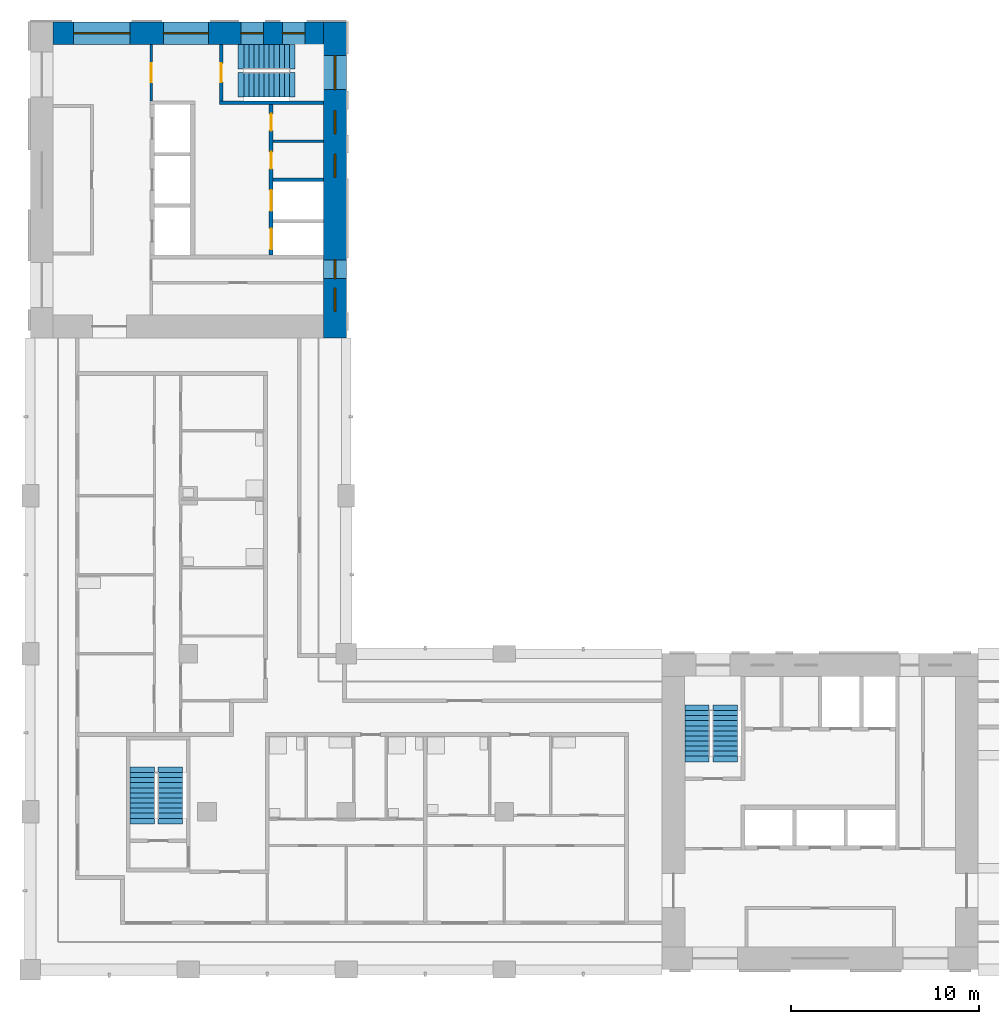
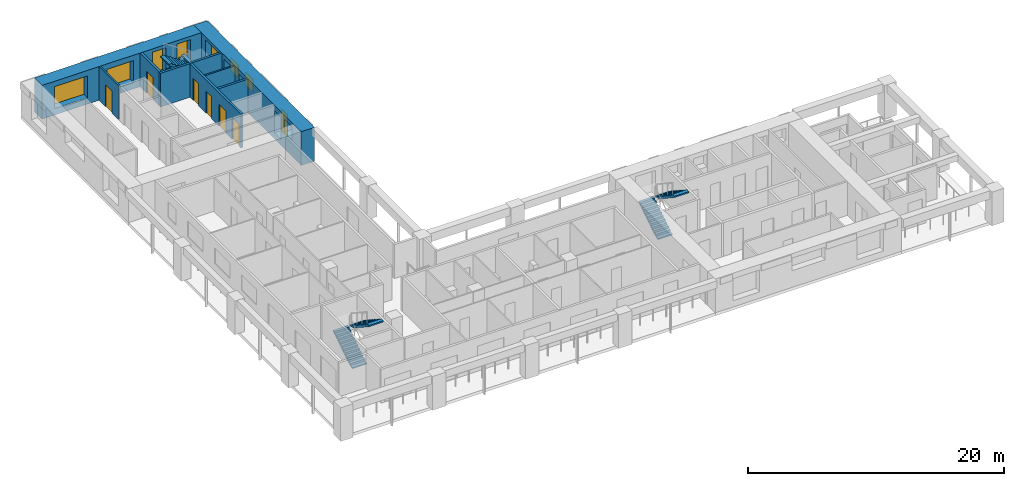
# One storey, part 6 of 10: 9 windows, 8 walls, 6 doors, 6 stair flights, 15 openings, 3 elements without a shape of their own.
"""IFC4 building model written with IfcOpenShell, lengths in metres."""

from ifc_helpers import new_model, si_unit, direction, frame, frame_2d, origin, place, context, subcontext, project, spatial, polyline, rectangle, outline, extrude, material, layer, layer_set, type_object, element, fill, aggregate, save


model = new_model("IFC4")

# Units and contexts
model_context = context("Model", 3, precision=1e-05, world=origin(), true_north=direction((0.0, 1.0)))
body_context = subcontext(model_context, "Body", "Model", "MODEL_VIEW")
ifc_project = project(units=[si_unit("LENGTHUNIT", "METRE"), si_unit("AREAUNIT", "SQUARE_METRE"), si_unit("VOLUMEUNIT", "CUBIC_METRE"), si_unit("PLANEANGLEUNIT", "RADIAN"), si_unit("MASSUNIT", "GRAM", prefix="KILO")], contexts=[model_context])

# Site, building, storey
site_placement = place(None, origin())
site = spatial("IfcSite", under=ifc_project, at=site_placement, CompositionType="ELEMENT")
building_placement = place(site_placement, origin())
building = spatial("IfcBuilding", under=site, at=building_placement, Name="Vermilion Gate Residences", CompositionType="ELEMENT")
storey_placement = place(building_placement, frame((0.0, 0.0, 172.199951171875)))
storey = spatial("IfcBuildingStorey", under=building, at=storey_placement, Name="L44", CompositionType="ELEMENT", Elevation=172.199951171875)

# Wall
ifc_material_1 = material(Name="Masonry blockwork", Category="masonry")
ifc_layer_1 = layer(ifc_material_1, 0.14990234375)
ifc_layer_set_1 = layer_set([ifc_layer_1], Name="BLOCKWORK PARTITION 150 EI 120")
wall_type_1 = type_object("IfcWallType", Name="BLOCKWORK PARTITION 150 EI 120", PredefinedType="PARTITIONING", material=ifc_layer_set_1)
wall_1_placement = place(storey_placement, frame((21.300048828125, 52.449951171875, 0.0), z_axis=(0.0, 0.0, 1.0), x_axis=(1.0, 0.0, 0.0)))
element("IfcWall", 1, at=wall_1_placement, inside=storey, type_object=wall_type_1, Name="Core room partition B44-NR-P0", PredefinedType="PARTITIONING", context=body_context, shape_type="SweptSolid", body=[
    extrude(rectangle(XDim=2.699951171875, YDim=0.14990234375, at=frame_2d((1.35009765625, 0.0))), origin(), (0.0, 0.0, 1.0), 3.219970703125),
])

# Wall, opening, door
wall_2_placement = place(storey_placement, frame((14.824951171875, 57.60009765625, 0.0), z_axis=(0.0, 0.0, 1.0), x_axis=(0.0, -1.0, 0.0)))
wall_2 = element("IfcWall", 2, at=wall_2_placement, inside=storey, type_object=wall_type_1, Name="Core room partition B44-VW-S", PredefinedType="PARTITIONING", context=body_context, shape_type="SweptSolid", body=[
    extrude(rectangle(XDim=3.0, YDim=0.14990234375, at=frame_2d((1.5, 0.0))), origin(), (0.0, 0.0, 1.0), 3.219970703125),
])
opening_1_placement = place(wall_2_placement, frame((1.0, 0.0, 0.0)))
opening_1 = element("IfcOpeningElement", 3, at=opening_1_placement, cuts=wall_2, Name="Opening DK44110", PredefinedType="OPENING", context=body_context, shape_type="SweptSolid", body=[
    extrude(rectangle(XDim=1.0, YDim=2.10009765625, at=frame_2d((0.5, 1.050048828125))), frame((0.0, 0.0849609375, 0.0), z_axis=(0.0, -1.0, 0.0), x_axis=(1.0, 0.0, 0.0)), (0.0, 0.0, 1.0), 0.169921875),
])
ifc_material_2 = material(Name="Steel", Category="steel")
door_type_1 = type_object("IfcDoorType", Name="FIRE DOOR FD60 1000 X 2100", OperationType="SINGLE_SWING_LEFT", PredefinedType="DOOR", material=ifc_material_2)
door_1_placement = place(opening_1_placement, frame((1.0, 0.0, 0.0), z_axis=(0.0, 0.0, 1.0), x_axis=(-1.0, 0.0, 0.0)))
door_1 = element("IfcDoor", 4, at=door_1_placement, inside=storey, type_object=door_type_1, Name="Stair vestibule door B44", OperationType="SINGLE_SWING_RIGHT", OverallHeight=2.10009765625, OverallWidth=1.0, PredefinedType="DOOR", context=body_context, shape_type="SweptSolid", body=[
    extrude(rectangle(XDim=1.0, YDim=2.10009765625, at=frame_2d((0.5, 1.050048828125))), frame((0.0, 0.02490234375, 0.0), z_axis=(0.0, -1.0, 0.0), x_axis=(1.0, 0.0, 0.0)), (0.0, 0.0, 1.0), 0.050048828125),
])
fill(opening_1, door_1)

# Wall
ifc_material_3 = material(Name="Concrete C60", Category="concrete")
ifc_layer_2 = layer(ifc_material_3, 0.199951171875)
ifc_layer_set_2 = layer_set([ifc_layer_2], Name="RC CORE INTERNAL WALL 200 C60")
wall_type_2 = type_object("IfcWallType", Name="RC CORE INTERNAL WALL 200 C60", PredefinedType="SHEAR", material=ifc_layer_set_2)
wall_3_placement = place(storey_placement, frame((21.300048828125, 50.39990234375, 0.0), z_axis=(0.0, 0.0, 1.0), x_axis=(1.0, 0.0, 0.0)))
element("IfcWall", 5, at=wall_3_placement, inside=storey, type_object=wall_type_2, Name="Core internal wall B44-FF-D0", PredefinedType="SHEAR", context=body_context, shape_type="SweptSolid", body=[
    extrude(rectangle(XDim=2.699951171875, YDim=0.199951171875, at=frame_2d((1.35009765625, 0.0))), origin(), (0.0, 0.0, 1.0), 3.219970703125),
])

# Wall, openings, doors
wall_4_placement = place(storey_placement, frame((21.199951171875, 54.39990234375, 0.0), z_axis=(0.0, 0.0, 1.0), x_axis=(0.0, -1.0, 0.0)))
wall_4 = element("IfcWall", 6, at=wall_4_placement, inside=storey, type_object=wall_type_2, Name="Core internal wall B44-FF-F", PredefinedType="SHEAR", context=body_context, shape_type="SweptSolid", body=[
    extrude(rectangle(XDim=8.0, YDim=0.199951171875, at=frame_2d((4.0, 0.0))), origin(), (0.0, 0.0, 1.0), 3.219970703125),
])
opening_2_placement = place(wall_4_placement, frame((0.487548828125, 0.0, 0.0)))
opening_2 = element("IfcOpeningElement", 7, at=opening_2_placement, cuts=wall_4, Name="Opening DK44106", PredefinedType="OPENING", context=body_context, shape_type="SweptSolid", body=[
    extrude(rectangle(XDim=0.89990234375, YDim=2.10009765625, at=frame_2d((0.449951171875, 1.050048828125))), frame((0.0, 0.10986328125, 0.0), z_axis=(0.0, -1.0, 0.0), x_axis=(1.0, 0.0, 0.0)), (0.0, 0.0, 1.0), 0.219970703125),
])
opening_3_placement = place(wall_4_placement, frame((2.512451171875, 0.0, 0.0)))
opening_3 = element("IfcOpeningElement", 8, at=opening_3_placement, cuts=wall_4, Name="Opening DK44107", PredefinedType="OPENING", context=body_context, shape_type="SweptSolid", body=[
    extrude(rectangle(XDim=0.89990234375, YDim=2.10009765625, at=frame_2d((0.449951171875, 1.050048828125))), frame((0.0, 0.10986328125, 0.0), z_axis=(0.0, -1.0, 0.0), x_axis=(1.0, 0.0, 0.0)), (0.0, 0.0, 1.0), 0.219970703125),
])
opening_4_placement = place(wall_4_placement, frame((4.550048828125, 0.0, 0.0)))
opening_4 = element("IfcOpeningElement", 9, at=opening_4_placement, cuts=wall_4, Name="Opening LD", PredefinedType="OPENING", context=body_context, shape_type="SweptSolid", body=[
    extrude(rectangle(XDim=1.10009765625, YDim=2.10009765625, at=frame_2d((0.550048828125, 1.050048828125))), frame((0.0, 0.10986328125, 0.0), z_axis=(0.0, -1.0, 0.0), x_axis=(1.0, 0.0, 0.0)), (0.0, 0.0, 1.0), 0.219970703125),
])
opening_5_placement = place(wall_4_placement, frame((6.60009765625, 0.0, 0.0)))
opening_5 = element("IfcOpeningElement", 10, at=opening_5_placement, cuts=wall_4, Name="Opening LD", PredefinedType="OPENING", context=body_context, shape_type="SweptSolid", body=[
    extrude(rectangle(XDim=1.10009765625, YDim=2.10009765625, at=frame_2d((0.550048828125, 1.050048828125))), frame((0.0, 0.10986328125, 0.0), z_axis=(0.0, -1.0, 0.0), x_axis=(1.0, 0.0, 0.0)), (0.0, 0.0, 1.0), 0.219970703125),
])
ifc_material_4 = material(Name="Stainless steel", Category="steel")
door_type_2 = type_object("IfcDoorType", Name="LIFT LANDING DOOR E60 1100 X 2100", OperationType="DOUBLE_DOOR_SLIDING", PredefinedType="DOOR", material=ifc_material_4)
door_2_placement = place(opening_4_placement, origin())
door_2 = element("IfcDoor", 11, at=door_2_placement, inside=storey, type_object=door_type_2, Name="Lift landing door LFB1", OperationType="DOUBLE_DOOR_SLIDING", OverallHeight=2.10009765625, OverallWidth=1.10009765625, PredefinedType="DOOR", context=body_context, shape_type="SweptSolid", body=[
    extrude(rectangle(XDim=1.10009765625, YDim=2.10009765625, at=frame_2d((0.550048828125, 1.050048828125))), frame((0.0, 0.02490234375, 0.0), z_axis=(0.0, -1.0, 0.0), x_axis=(1.0, 0.0, 0.0)), (0.0, 0.0, 1.0), 0.050048828125),
])
fill(opening_4, door_2)
door_3_placement = place(opening_5_placement, origin())
door_3 = element("IfcDoor", 12, at=door_3_placement, inside=storey, type_object=door_type_2, Name="Lift landing door LCB1", OperationType="DOUBLE_DOOR_SLIDING", OverallHeight=2.10009765625, OverallWidth=1.10009765625, PredefinedType="DOOR", context=body_context, shape_type="SweptSolid", body=[
    extrude(rectangle(XDim=1.10009765625, YDim=2.10009765625, at=frame_2d((0.550048828125, 1.050048828125))), frame((0.0, 0.02490234375, 0.0), z_axis=(0.0, -1.0, 0.0), x_axis=(1.0, 0.0, 0.0)), (0.0, 0.0, 1.0), 0.050048828125),
])
fill(opening_5, door_3)
ifc_material_5 = material(Name="Steel", Category="steel")
door_type_3 = type_object("IfcDoorType", Name="SERVICE ROOM DOOR FD60 900 X 2100", OperationType="SINGLE_SWING_LEFT", PredefinedType="DOOR", material=ifc_material_5)
door_4_placement = place(opening_2_placement, origin())
door_4 = element("IfcDoor", 13, at=door_4_placement, inside=storey, type_object=door_type_3, Name="Parcel room B44", OperationType="SINGLE_SWING_RIGHT", OverallHeight=2.10009765625, OverallWidth=0.89990234375, PredefinedType="DOOR", context=body_context, shape_type="SweptSolid", body=[
    extrude(rectangle(XDim=0.89990234375, YDim=2.10009765625, at=frame_2d((0.449951171875, 1.050048828125))), frame((0.0, 0.02490234375, 0.0), z_axis=(0.0, -1.0, 0.0), x_axis=(1.0, 0.0, 0.0)), (0.0, 0.0, 1.0), 0.050048828125),
])
fill(opening_2, door_4)
door_5_placement = place(opening_3_placement, frame((0.89990234375, 0.0, 0.0), z_axis=(0.0, 0.0, 1.0), x_axis=(-1.0, 0.0, 0.0)))
door_5 = element("IfcDoor", 14, at=door_5_placement, inside=storey, type_object=door_type_3, Name="Electrical room B44", OperationType="SINGLE_SWING_RIGHT", OverallHeight=2.10009765625, OverallWidth=0.89990234375, PredefinedType="DOOR", context=body_context, shape_type="SweptSolid", body=[
    extrude(rectangle(XDim=0.89990234375, YDim=2.10009765625, at=frame_2d((0.449951171875, 1.050048828125))), frame((0.0, 0.02490234375, 0.0), z_axis=(0.0, -1.0, 0.0), x_axis=(1.0, 0.0, 0.0)), (0.0, 0.0, 1.0), 0.050048828125),
])
fill(opening_3, door_5)

# Wall
wall_5_placement = place(storey_placement, frame((18.449951171875, 54.5, 0.0), z_axis=(0.0, 0.0, 1.0), x_axis=(1.0, 0.0, 0.0)))
element("IfcWall", 15, at=wall_5_placement, inside=storey, type_object=wall_type_2, Name="Core internal wall B44-WDIV2", PredefinedType="SHEAR", context=body_context, shape_type="SweptSolid", body=[
    extrude(rectangle(XDim=5.550048828125, YDim=0.199951171875, at=frame_2d((2.77490234375, 0.0))), origin(), (0.0, 0.0, 1.0), 3.219970703125),
])

# Wall, opening, door
wall_6_placement = place(storey_placement, frame((18.550048828125, 57.60009765625, 0.0), z_axis=(0.0, 0.0, 1.0), x_axis=(0.0, -1.0, 0.0)))
wall_6 = element("IfcWall", 16, at=wall_6_placement, inside=storey, type_object=wall_type_2, Name="Core internal wall B44-STW-S", PredefinedType="SHEAR", context=body_context, shape_type="SweptSolid", body=[
    extrude(rectangle(XDim=3.0, YDim=0.199951171875, at=frame_2d((1.5, 0.0))), origin(), (0.0, 0.0, 1.0), 3.219970703125),
])
opening_6_placement = place(wall_6_placement, frame((1.0, 0.0, 0.0)))
opening_6 = element("IfcOpeningElement", 17, at=opening_6_placement, cuts=wall_6, Name="Opening DK44111", PredefinedType="OPENING", context=body_context, shape_type="SweptSolid", body=[
    extrude(rectangle(XDim=1.0, YDim=2.10009765625, at=frame_2d((0.5, 1.050048828125))), frame((0.0, 0.10986328125, 0.0), z_axis=(0.0, -1.0, 0.0), x_axis=(1.0, 0.0, 0.0)), (0.0, 0.0, 1.0), 0.219970703125),
])
door_6_placement = place(opening_6_placement, origin())
door_6 = element("IfcDoor", 18, at=door_6_placement, inside=storey, type_object=door_type_1, Name="Stair door B44", OperationType="SINGLE_SWING_LEFT", OverallHeight=2.10009765625, OverallWidth=1.0, PredefinedType="DOOR", context=body_context, shape_type="SweptSolid", body=[
    extrude(rectangle(XDim=1.0, YDim=2.10009765625, at=frame_2d((0.5, 1.050048828125))), frame((0.0, 0.02490234375, 0.0), z_axis=(0.0, -1.0, 0.0), x_axis=(1.0, 0.0, 0.0)), (0.0, 0.0, 1.0), 0.050048828125),
])
fill(opening_6, door_6)

# Wall, openings, windows
ifc_material_6 = material(Name="Concrete C60 red-oxide pigmented", Category="concrete")
ifc_layer_3 = layer(ifc_material_6, 1.199951171875)
ifc_layer_set_3 = layer_set([ifc_layer_3], Name="RC CORE WALL 1200 C60 RED OXIDE")
wall_type_3 = type_object("IfcWallType", Name="RC CORE WALL 1200 C60 RED OXIDE", PredefinedType="SHEAR", material=ifc_layer_set_3)
wall_7_placement = place(storey_placement, frame((24.60009765625, 58.800048828125, 0.0), z_axis=(0.0, 0.0, 1.0), x_axis=(0.0, -1.0, 0.0)))
wall_7 = element("IfcWall", 19, at=wall_7_placement, inside=storey, type_object=wall_type_3, Name="Core wall B44-OUT-B1", PredefinedType="SHEAR", context=body_context, shape_type="SweptSolid", body=[
    extrude(rectangle(XDim=16.800048828125, YDim=1.199951171875, at=frame_2d((8.39990234375, 0.0))), origin(), (0.0, 0.0, 1.0), 3.219970703125),
])
opening_7_placement = place(wall_7_placement, frame((1.800048828125, 0.0, 0.5)))
opening_7 = element("IfcOpeningElement", 20, at=opening_7_placement, cuts=wall_7, Name="Opening WKB4404", PredefinedType="OPENING", context=body_context, shape_type="SweptSolid", body=[
    extrude(rectangle(XDim=1.800048828125, YDim=2.39990234375, at=frame_2d((0.89990234375, 1.199951171875))), frame((0.0, 0.60986328125, 0.0), z_axis=(0.0, -1.0, 0.0), x_axis=(1.0, 0.0, 0.0)), (0.0, 0.0, 1.0), 1.219970703125),
])
opening_8_placement = place(wall_7_placement, frame((4.737548828125, 0.0, 1.60009765625)))
opening_8 = element("IfcOpeningElement", 21, at=opening_8_placement, cuts=wall_7, Name="Opening WKB4405", PredefinedType="OPENING", context=body_context, shape_type="SweptSolid", body=[
    extrude(rectangle(XDim=1.199951171875, YDim=1.199951171875, at=frame_2d((0.60009765625, 0.60009765625))), frame((0.0, 0.60986328125, 0.0), z_axis=(0.0, -1.0, 0.0), x_axis=(1.0, 0.0, 0.0)), (0.0, 0.0, 1.0), 1.219970703125),
])
opening_9_placement = place(wall_7_placement, frame((7.050048828125, 0.0, 1.60009765625)))
opening_9 = element("IfcOpeningElement", 22, at=opening_9_placement, cuts=wall_7, Name="Opening WKB4406", PredefinedType="OPENING", context=body_context, shape_type="SweptSolid", body=[
    extrude(rectangle(XDim=1.199951171875, YDim=1.199951171875, at=frame_2d((0.60009765625, 0.60009765625))), frame((0.0, 0.60986328125, 0.0), z_axis=(0.0, -1.0, 0.0), x_axis=(1.0, 0.0, 0.0)), (0.0, 0.0, 1.0), 1.219970703125),
])
opening_10_placement = place(wall_7_placement, frame((12.64990234375, 0.0, 0.60009765625)))
opening_10 = element("IfcOpeningElement", 23, at=opening_10_placement, cuts=wall_7, Name="Opening WKB4407", PredefinedType="OPENING", context=body_context, shape_type="SweptSolid", body=[
    extrude(rectangle(XDim=1.0, YDim=2.10009765625, at=frame_2d((0.5, 1.050048828125))), frame((0.0, 0.60986328125, 0.0), z_axis=(0.0, -1.0, 0.0), x_axis=(1.0, 0.0, 0.0)), (0.0, 0.0, 1.0), 1.219970703125),
])
opening_11_placement = place(wall_7_placement, frame((14.175048828125, 0.0, 1.60009765625)))
opening_11 = element("IfcOpeningElement", 24, at=opening_11_placement, cuts=wall_7, Name="Opening WKB4408", PredefinedType="OPENING", context=body_context, shape_type="SweptSolid", body=[
    extrude(rectangle(XDim=1.199951171875, YDim=1.199951171875, at=frame_2d((0.60009765625, 0.60009765625))), frame((0.0, 0.60986328125, 0.0), z_axis=(0.0, -1.0, 0.0), x_axis=(1.0, 0.0, 0.0)), (0.0, 0.0, 1.0), 1.219970703125),
])
ifc_material_7 = material(Name="Aluminium and clear glass", Category="aluminium")
window_type_1 = type_object("IfcWindowType", Name="CORE CORRIDOR WINDOW 1000 X 2100", PartitioningType="SINGLE_PANEL", PredefinedType="WINDOW", material=ifc_material_7)
window_1_placement = place(opening_10_placement, origin())
window_1 = element("IfcWindow", 25, at=window_1_placement, inside=storey, type_object=window_type_1, Name="Core corridor window", OverallHeight=2.10009765625, OverallWidth=1.0, PartitioningType="SINGLE_PANEL", PredefinedType="WINDOW", context=body_context, shape_type="SweptSolid", body=[
    extrude(rectangle(XDim=1.0, YDim=2.10009765625, at=frame_2d((0.5, 1.050048828125))), frame((0.0, 0.030029296875, 0.0), z_axis=(0.0, -1.0, 0.0), x_axis=(1.0, 0.0, 0.0)), (0.0, 0.0, 1.0), 0.06005859375),
])
fill(opening_10, window_1)
ifc_material_8 = material(Name="Aluminium frame with louvre blades", Category="aluminium")
window_type_2 = type_object("IfcWindowType", Name="CORE LOUVRE 1200 X 1200", PartitioningType="SINGLE_PANEL", PredefinedType="WINDOW", material=ifc_material_8)
window_2_placement = place(opening_8_placement, origin())
window_2 = element("IfcWindow", 26, at=window_2_placement, inside=storey, type_object=window_type_2, Name="Core louvre", OverallHeight=1.199951171875, OverallWidth=1.199951171875, PartitioningType="SINGLE_PANEL", PredefinedType="WINDOW", context=body_context, shape_type="SweptSolid", body=[
    extrude(rectangle(XDim=1.199951171875, YDim=1.199951171875, at=frame_2d((0.60009765625, 0.60009765625))), frame((0.0, 0.030029296875, 0.0), z_axis=(0.0, -1.0, 0.0), x_axis=(1.0, 0.0, 0.0)), (0.0, 0.0, 1.0), 0.06005859375),
])
fill(opening_8, window_2)
window_3_placement = place(opening_9_placement, origin())
window_3 = element("IfcWindow", 27, at=window_3_placement, inside=storey, type_object=window_type_2, Name="Core louvre", OverallHeight=1.199951171875, OverallWidth=1.199951171875, PartitioningType="SINGLE_PANEL", PredefinedType="WINDOW", context=body_context, shape_type="SweptSolid", body=[
    extrude(rectangle(XDim=1.199951171875, YDim=1.199951171875, at=frame_2d((0.60009765625, 0.60009765625))), frame((0.0, 0.030029296875, 0.0), z_axis=(0.0, -1.0, 0.0), x_axis=(1.0, 0.0, 0.0)), (0.0, 0.0, 1.0), 0.06005859375),
])
fill(opening_9, window_3)
window_4_placement = place(opening_11_placement, origin())
window_4 = element("IfcWindow", 28, at=window_4_placement, inside=storey, type_object=window_type_2, Name="Core louvre", OverallHeight=1.199951171875, OverallWidth=1.199951171875, PartitioningType="SINGLE_PANEL", PredefinedType="WINDOW", context=body_context, shape_type="SweptSolid", body=[
    extrude(rectangle(XDim=1.199951171875, YDim=1.199951171875, at=frame_2d((0.60009765625, 0.60009765625))), frame((0.0, 0.030029296875, 0.0), z_axis=(0.0, -1.0, 0.0), x_axis=(1.0, 0.0, 0.0)), (0.0, 0.0, 1.0), 0.06005859375),
])
fill(opening_11, window_4)
ifc_material_9 = material(Name="Aluminium and clear glass", Category="aluminium")
window_type_3 = type_object("IfcWindowType", Name="CORE STAIR WINDOW 1800 X 2400", PartitioningType="SINGLE_PANEL", PredefinedType="WINDOW", material=ifc_material_9)
window_5_placement = place(opening_7_placement, origin())
window_5 = element("IfcWindow", 29, at=window_5_placement, inside=storey, type_object=window_type_3, Name="Core stair window", OverallHeight=2.39990234375, OverallWidth=1.800048828125, PartitioningType="SINGLE_PANEL", PredefinedType="WINDOW", context=body_context, shape_type="SweptSolid", body=[
    extrude(rectangle(XDim=1.800048828125, YDim=2.39990234375, at=frame_2d((0.89990234375, 1.199951171875))), frame((0.0, 0.030029296875, 0.0), z_axis=(0.0, -1.0, 0.0), x_axis=(1.0, 0.0, 0.0)), (0.0, 0.0, 1.0), 0.06005859375),
])
fill(opening_7, window_5)

wall_8_placement = place(storey_placement, frame((9.60009765625, 58.199951171875, 0.0), z_axis=(0.0, 0.0, 1.0), x_axis=(1.0, 0.0, 0.0)))
wall_8 = element("IfcWall", 30, at=wall_8_placement, inside=storey, type_object=wall_type_3, Name="Core wall B44-OUT-FR", PredefinedType="SHEAR", context=body_context, shape_type="SweptSolid", body=[
    extrude(rectangle(XDim=14.39990234375, YDim=1.199951171875, at=frame_2d((7.199951171875, 0.0))), origin(), (0.0, 0.0, 1.0), 3.219970703125),
])
opening_12_placement = place(wall_8_placement, frame((1.10498046875, 0.0, 0.60009765625)))
opening_12 = element("IfcOpeningElement", 31, at=opening_12_placement, cuts=wall_8, Name="Opening WKB4409", PredefinedType="OPENING", context=body_context, shape_type="SweptSolid", body=[
    extrude(rectangle(XDim=3.0, YDim=2.10009765625, at=frame_2d((1.5, 1.050048828125))), frame((0.0, 0.60986328125, 0.0), z_axis=(0.0, -1.0, 0.0), x_axis=(1.0, 0.0, 0.0)), (0.0, 0.0, 1.0), 1.219970703125),
])
opening_13_placement = place(wall_8_placement, frame((5.875, 0.0, 0.60009765625)))
opening_13 = element("IfcOpeningElement", 32, at=opening_13_placement, cuts=wall_8, Name="Opening WKB4410", PredefinedType="OPENING", context=body_context, shape_type="SweptSolid", body=[
    extrude(rectangle(XDim=2.39990234375, YDim=2.10009765625, at=frame_2d((1.199951171875, 1.050048828125))), frame((0.0, 0.60986328125, 0.0), z_axis=(0.0, -1.0, 0.0), x_axis=(1.0, 0.0, 0.0)), (0.0, 0.0, 1.0), 1.219970703125),
])
opening_14_placement = place(wall_8_placement, frame((9.993408203125, 0.0, 0.5)))
opening_14 = element("IfcOpeningElement", 33, at=opening_14_placement, cuts=wall_8, Name="Opening WKB4411", PredefinedType="OPENING", context=body_context, shape_type="SweptSolid", body=[
    extrude(rectangle(XDim=1.199951171875, YDim=2.39990234375, at=frame_2d((0.60009765625, 1.199951171875))), frame((0.0, 0.60986328125, 0.0), z_axis=(0.0, -1.0, 0.0), x_axis=(1.0, 0.0, 0.0)), (0.0, 0.0, 1.0), 1.219970703125),
])
opening_15_placement = place(wall_8_placement, frame((12.19677734375, 0.0, 0.5)))
opening_15 = element("IfcOpeningElement", 34, at=opening_15_placement, cuts=wall_8, Name="Opening WKB4412", PredefinedType="OPENING", context=body_context, shape_type="SweptSolid", body=[
    extrude(rectangle(XDim=1.199951171875, YDim=2.39990234375, at=frame_2d((0.60009765625, 1.199951171875))), frame((0.0, 0.60986328125, 0.0), z_axis=(0.0, -1.0, 0.0), x_axis=(1.0, 0.0, 0.0)), (0.0, 0.0, 1.0), 1.219970703125),
])
ifc_material_10 = material(Name="Aluminium and clear glass", Category="aluminium")
window_type_4 = type_object("IfcWindowType", Name="CORE LOBBY WINDOW 2400 X 2100", PartitioningType="SINGLE_PANEL", PredefinedType="WINDOW", material=ifc_material_10)
window_6_placement = place(opening_13_placement, origin())
window_6 = element("IfcWindow", 35, at=window_6_placement, inside=storey, type_object=window_type_4, Name="Core lobby window", OverallHeight=2.10009765625, OverallWidth=2.39990234375, PartitioningType="SINGLE_PANEL", PredefinedType="WINDOW", context=body_context, shape_type="SweptSolid", body=[
    extrude(rectangle(XDim=2.39990234375, YDim=2.10009765625, at=frame_2d((1.199951171875, 1.050048828125))), frame((0.0, 0.030029296875, 0.0), z_axis=(0.0, -1.0, 0.0), x_axis=(1.0, 0.0, 0.0)), (0.0, 0.0, 1.0), 0.06005859375),
])
fill(opening_13, window_6)
ifc_material_11 = material(Name="Aluminium and clear glass", Category="aluminium")
window_type_5 = type_object("IfcWindowType", Name="CORE LOBBY WINDOW 3000 X 2100", PartitioningType="SINGLE_PANEL", PredefinedType="WINDOW", material=ifc_material_11)
window_7_placement = place(opening_12_placement, origin())
window_7 = element("IfcWindow", 36, at=window_7_placement, inside=storey, type_object=window_type_5, Name="Core lobby window", OverallHeight=2.10009765625, OverallWidth=3.0, PartitioningType="SINGLE_PANEL", PredefinedType="WINDOW", context=body_context, shape_type="SweptSolid", body=[
    extrude(rectangle(XDim=3.0, YDim=2.10009765625, at=frame_2d((1.5, 1.050048828125))), frame((0.0, 0.030029296875, 0.0), z_axis=(0.0, -1.0, 0.0), x_axis=(1.0, 0.0, 0.0)), (0.0, 0.0, 1.0), 0.06005859375),
])
fill(opening_12, window_7)
ifc_material_12 = material(Name="Aluminium and clear glass", Category="aluminium")
window_type_6 = type_object("IfcWindowType", Name="CORE STAIR WINDOW 1200 X 2400", PartitioningType="SINGLE_PANEL", PredefinedType="WINDOW", material=ifc_material_12)
window_8_placement = place(opening_14_placement, origin())
window_8 = element("IfcWindow", 37, at=window_8_placement, inside=storey, type_object=window_type_6, Name="Core stair window", OverallHeight=2.39990234375, OverallWidth=1.199951171875, PartitioningType="SINGLE_PANEL", PredefinedType="WINDOW", context=body_context, shape_type="SweptSolid", body=[
    extrude(rectangle(XDim=1.199951171875, YDim=2.39990234375, at=frame_2d((0.60009765625, 1.199951171875))), frame((0.0, 0.030029296875, 0.0), z_axis=(0.0, -1.0, 0.0), x_axis=(1.0, 0.0, 0.0)), (0.0, 0.0, 1.0), 0.06005859375),
])
fill(opening_14, window_8)
window_9_placement = place(opening_15_placement, origin())
window_9 = element("IfcWindow", 38, at=window_9_placement, inside=storey, type_object=window_type_6, Name="Core stair window", OverallHeight=2.39990234375, OverallWidth=1.199951171875, PartitioningType="SINGLE_PANEL", PredefinedType="WINDOW", context=body_context, shape_type="SweptSolid", body=[
    extrude(rectangle(XDim=1.199951171875, YDim=2.39990234375, at=frame_2d((0.60009765625, 1.199951171875))), frame((0.0, 0.030029296875, 0.0), z_axis=(0.0, -1.0, 0.0), x_axis=(1.0, 0.0, 0.0)), (0.0, 0.0, 1.0), 0.06005859375),
])
fill(opening_15, window_9)

# Stair, stair flights
ifc_material_13 = material(Name="Concrete C50", Category="concrete")
stair_type = type_object("IfcStairType", Name="SPECIAL ESCAPE STAIR 1300", PredefinedType="HALF_TURN_STAIR", material=ifc_material_13)
stair_1_placement = place(storey_placement, origin())
stair_1 = element("IfcStair", 39, at=stair_1_placement, inside=storey, type_object=stair_type, Name="Special escape stair STA1-44", PredefinedType="HALF_TURN_STAIR")
ifc_material_14 = material(Name="Concrete C50", Category="concrete")
stair_flight_type = type_object("IfcStairFlightType", Name="STAIR FLIGHT 1300 RC C50", PredefinedType="STRAIGHT", material=ifc_material_14)
stair_flight_1_placement = place(storey_placement, frame((43.85009765625, 19.75, 0.0), z_axis=(0.0, 0.0, 1.0), x_axis=(0.0, 1.0, 0.0)))
stair_flight_1 = element("IfcStairFlight", 40, at=stair_flight_1_placement, type_object=stair_flight_type, Name="STA1-44 flight 1", NumberOfRisers=10, NumberOfTreads=9, PredefinedType="STRAIGHT", RiserHeight=0.175, TreadLength=0.27, context=body_context, shape_type="SweptSolid", body=[
    extrude(outline(polyline([(-0.300048828125, -0.14990234375), (-0.300048828125, -0.030029296875), (0.0, 0.0), (0.0, 0.175048828125), (0.27001953125, 0.175048828125), (0.27001953125, 0.35009765625), (0.5400390625, 0.35009765625), (0.5400390625, 0.52490234375), (0.81005859375, 0.52490234375), (0.81005859375, 0.699951171875), (1.080078125, 0.699951171875), (1.080078125, 0.875), (1.35009765625, 0.875), (1.35009765625, 1.050048828125), (1.6201171875, 1.050048828125), (1.6201171875, 1.22509765625), (1.889892578125, 1.22509765625), (1.889892578125, 1.39990234375), (2.159912109375, 1.39990234375), (2.159912109375, 1.574951171875), (2.429931640625, 1.574951171875), (2.429931640625, 1.75), (2.72998046875, 1.719970703125), (2.72998046875, 1.60009765625), (2.429931640625, 1.396484375), (0.275634765625, 0.0), (-0.300048828125, -0.14990234375)])), frame((0.0, 0.64990234375, 0.0), z_axis=(0.0, -1.0, 0.0), x_axis=(1.0, 0.0, 0.0)), (0.0, 0.0, 1.0), 1.300048828125),
])
stair_flight_2_placement = place(storey_placement, frame((45.35009765625, 22.179931640625, 1.75), z_axis=(0.0, 0.0, 1.0), x_axis=(0.0, -1.0, 0.0)))
stair_flight_2 = element("IfcStairFlight", 41, at=stair_flight_2_placement, type_object=stair_flight_type, Name="STA1-44 flight 2", NumberOfRisers=10, NumberOfTreads=9, PredefinedType="STRAIGHT", RiserHeight=0.175, TreadLength=0.27, context=body_context, shape_type="SweptSolid", body=[
    extrude(outline(polyline([(-0.300048828125, -0.14990234375), (-0.300048828125, -0.030029296875), (0.0, 0.0), (0.0, 0.175048828125), (0.27001953125, 0.175048828125), (0.27001953125, 0.35009765625), (0.5400390625, 0.35009765625), (0.5400390625, 0.52490234375), (0.81005859375, 0.52490234375), (0.81005859375, 0.699951171875), (1.080078125, 0.699951171875), (1.080078125, 0.875), (1.35009765625, 0.875), (1.35009765625, 1.050048828125), (1.6201171875, 1.050048828125), (1.6201171875, 1.22509765625), (1.889892578125, 1.22509765625), (1.889892578125, 1.39990234375), (2.159912109375, 1.39990234375), (2.159912109375, 1.574951171875), (2.429931640625, 1.574951171875), (2.429931640625, 1.75), (2.72998046875, 1.719970703125), (2.72998046875, 1.60009765625), (2.429931640625, 1.396484375), (0.275634765625, 0.0), (-0.300048828125, -0.14990234375)])), frame((0.0, 0.64990234375, 0.0), z_axis=(0.0, -1.0, 0.0), x_axis=(1.0, 0.0, 0.0)), (0.0, 0.0, 1.0), 1.300048828125),
])
aggregate(stair_1, [stair_flight_1, stair_flight_2])

stair_2_placement = place(storey_placement, origin())
stair_2 = element("IfcStair", 42, at=stair_2_placement, inside=storey, type_object=stair_type, Name="Special escape stair STB1-44", PredefinedType="HALF_TURN_STAIR")
stair_flight_3_placement = place(storey_placement, frame((19.75, 56.949951171875, 0.0), z_axis=(0.0, 0.0, 1.0), x_axis=(1.0, 0.0, 0.0)))
stair_flight_3 = element("IfcStairFlight", 43, at=stair_flight_3_placement, type_object=stair_flight_type, Name="STB1-44 flight 1", NumberOfRisers=10, NumberOfTreads=9, PredefinedType="STRAIGHT", RiserHeight=0.175, TreadLength=0.27, context=body_context, shape_type="SweptSolid", body=[
    extrude(outline(polyline([(-0.300048828125, -0.14990234375), (-0.300048828125, -0.030029296875), (0.0, 0.0), (0.0, 0.175048828125), (0.27001953125, 0.175048828125), (0.27001953125, 0.35009765625), (0.5400390625, 0.35009765625), (0.5400390625, 0.52490234375), (0.81005859375, 0.52490234375), (0.81005859375, 0.699951171875), (1.080078125, 0.699951171875), (1.080078125, 0.875), (1.35009765625, 0.875), (1.35009765625, 1.050048828125), (1.6201171875, 1.050048828125), (1.6201171875, 1.22509765625), (1.889892578125, 1.22509765625), (1.889892578125, 1.39990234375), (2.159912109375, 1.39990234375), (2.159912109375, 1.574951171875), (2.429931640625, 1.574951171875), (2.429931640625, 1.75), (2.72998046875, 1.719970703125), (2.72998046875, 1.60009765625), (2.429931640625, 1.396484375), (0.275634765625, 0.0), (-0.300048828125, -0.14990234375)])), frame((0.0, 0.64990234375, 0.0), z_axis=(0.0, -1.0, 0.0), x_axis=(1.0, 0.0, 0.0)), (0.0, 0.0, 1.0), 1.300048828125),
])
stair_flight_4_placement = place(storey_placement, frame((22.179931640625, 55.449951171875, 1.75), z_axis=(0.0, 0.0, 1.0), x_axis=(-1.0, 0.0, 0.0)))
stair_flight_4 = element("IfcStairFlight", 44, at=stair_flight_4_placement, type_object=stair_flight_type, Name="STB1-44 flight 2", NumberOfRisers=10, NumberOfTreads=9, PredefinedType="STRAIGHT", RiserHeight=0.175, TreadLength=0.27, context=body_context, shape_type="SweptSolid", body=[
    extrude(outline(polyline([(-0.300048828125, -0.14990234375), (-0.300048828125, -0.030029296875), (0.0, 0.0), (0.0, 0.175048828125), (0.27001953125, 0.175048828125), (0.27001953125, 0.35009765625), (0.5400390625, 0.35009765625), (0.5400390625, 0.52490234375), (0.81005859375, 0.52490234375), (0.81005859375, 0.699951171875), (1.080078125, 0.699951171875), (1.080078125, 0.875), (1.35009765625, 0.875), (1.35009765625, 1.050048828125), (1.6201171875, 1.050048828125), (1.6201171875, 1.22509765625), (1.889892578125, 1.22509765625), (1.889892578125, 1.39990234375), (2.159912109375, 1.39990234375), (2.159912109375, 1.574951171875), (2.429931640625, 1.574951171875), (2.429931640625, 1.75), (2.72998046875, 1.719970703125), (2.72998046875, 1.60009765625), (2.429931640625, 1.396484375), (0.275634765625, 0.0), (-0.300048828125, -0.14990234375)])), frame((0.0, 0.64990234375, 0.0), z_axis=(0.0, -1.0, 0.0), x_axis=(1.0, 0.0, 0.0)), (0.0, 0.0, 1.0), 1.300048828125),
])
aggregate(stair_2, [stair_flight_3, stair_flight_4])

stair_3_placement = place(storey_placement, origin())
stair_3 = element("IfcStair", 45, at=stair_3_placement, inside=storey, type_object=stair_type, Name="Special escape stair STC1-44", PredefinedType="HALF_TURN_STAIR")
stair_flight_5_placement = place(storey_placement, frame((14.35009765625, 16.449951171875, 0.0), z_axis=(0.0, 0.0, 1.0), x_axis=(0.0, 1.0, 0.0)))
stair_flight_5 = element("IfcStairFlight", 46, at=stair_flight_5_placement, type_object=stair_flight_type, Name="STC1-44 flight 1", NumberOfRisers=10, NumberOfTreads=9, PredefinedType="STRAIGHT", RiserHeight=0.175, TreadLength=0.27, context=body_context, shape_type="SweptSolid", body=[
    extrude(outline(polyline([(-0.300048828125, -0.14990234375), (-0.300048828125, -0.030029296875), (0.0, 0.0), (0.0, 0.175048828125), (0.27001953125, 0.175048828125), (0.27001953125, 0.35009765625), (0.5400390625, 0.35009765625), (0.5400390625, 0.52490234375), (0.81005859375, 0.52490234375), (0.81005859375, 0.699951171875), (1.080078125, 0.699951171875), (1.080078125, 0.875), (1.35009765625, 0.875), (1.35009765625, 1.050048828125), (1.6201171875, 1.050048828125), (1.6201171875, 1.22509765625), (1.889892578125, 1.22509765625), (1.889892578125, 1.39990234375), (2.159912109375, 1.39990234375), (2.159912109375, 1.574951171875), (2.429931640625, 1.574951171875), (2.429931640625, 1.75), (2.72998046875, 1.719970703125), (2.72998046875, 1.60009765625), (2.429931640625, 1.396484375), (0.275634765625, 0.0), (-0.300048828125, -0.14990234375)])), frame((0.0, 0.64990234375, 0.0), z_axis=(0.0, -1.0, 0.0), x_axis=(1.0, 0.0, 0.0)), (0.0, 0.0, 1.0), 1.300048828125),
])
stair_flight_6_placement = place(storey_placement, frame((15.85009765625, 18.8798828125, 1.75), z_axis=(0.0, 0.0, 1.0), x_axis=(0.0, -1.0, 0.0)))
stair_flight_6 = element("IfcStairFlight", 47, at=stair_flight_6_placement, type_object=stair_flight_type, Name="STC1-44 flight 2", NumberOfRisers=10, NumberOfTreads=9, PredefinedType="STRAIGHT", RiserHeight=0.175, TreadLength=0.27, context=body_context, shape_type="SweptSolid", body=[
    extrude(outline(polyline([(-0.300048828125, -0.14990234375), (-0.300048828125, -0.030029296875), (0.0, 0.0), (0.0, 0.175048828125), (0.27001953125, 0.175048828125), (0.27001953125, 0.35009765625), (0.5400390625, 0.35009765625), (0.5400390625, 0.52490234375), (0.81005859375, 0.52490234375), (0.81005859375, 0.699951171875), (1.080078125, 0.699951171875), (1.080078125, 0.875), (1.35009765625, 0.875), (1.35009765625, 1.050048828125), (1.6201171875, 1.050048828125), (1.6201171875, 1.22509765625), (1.889892578125, 1.22509765625), (1.889892578125, 1.39990234375), (2.159912109375, 1.39990234375), (2.159912109375, 1.574951171875), (2.429931640625, 1.574951171875), (2.429931640625, 1.75), (2.72998046875, 1.719970703125), (2.72998046875, 1.60009765625), (2.429931640625, 1.396484375), (0.275634765625, 0.0), (-0.300048828125, -0.14990234375)])), frame((0.0, 0.64990234375, 0.0), z_axis=(0.0, -1.0, 0.0), x_axis=(1.0, 0.0, 0.0)), (0.0, 0.0, 1.0), 1.300048828125),
])
aggregate(stair_3, [stair_flight_5, stair_flight_6])

save(model, "model.ifc")
